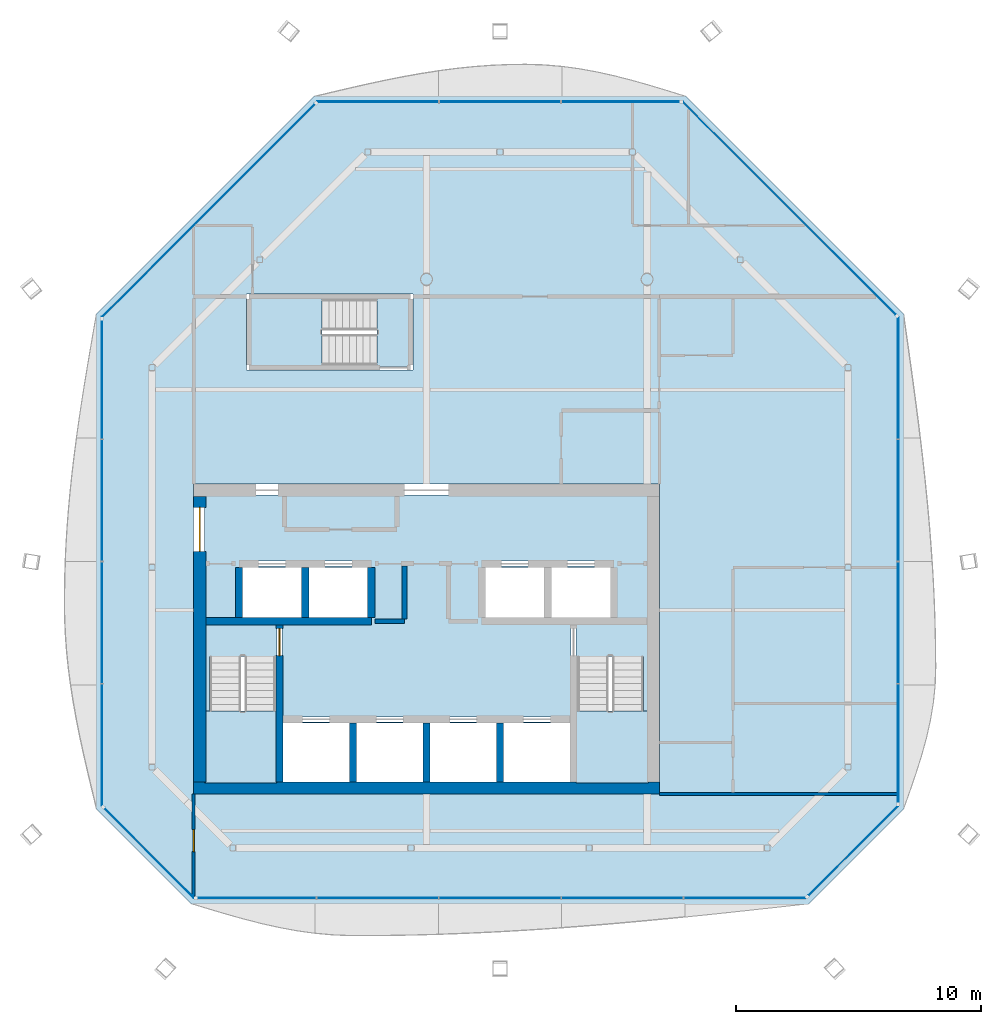
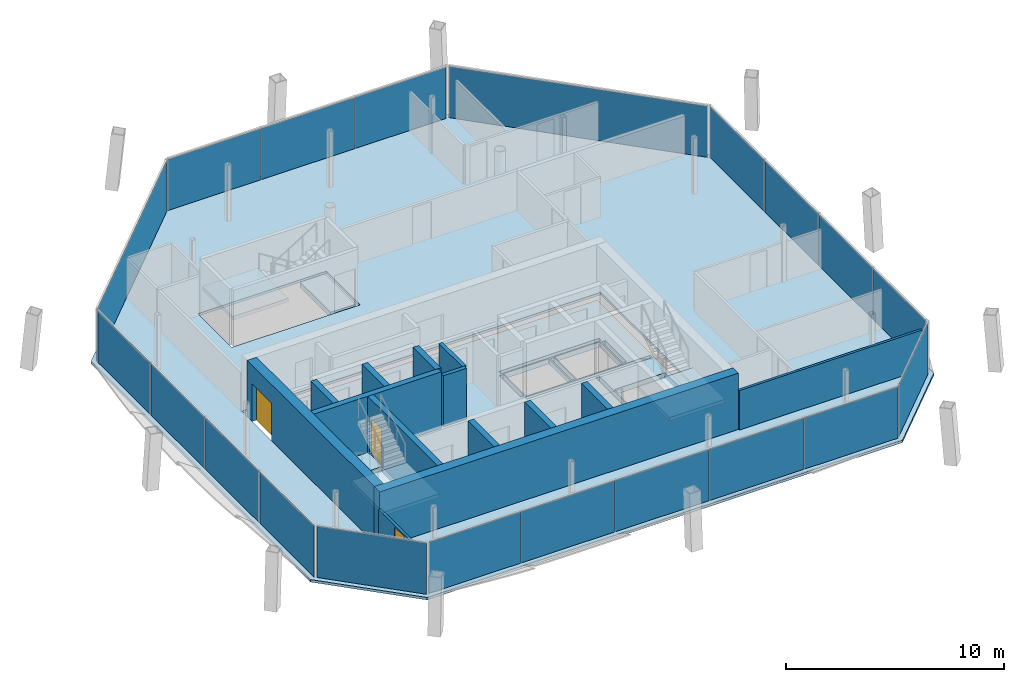
# One storey, part 9 of 14: 20 plates, 14 walls, 6 slabs, 3 doors, 3 openings, 11 elements without a shape of their own.
"""IFC4 building model written with IfcOpenShell, lengths in metres."""

from ifc_helpers import new_model, si_unit, direction, frame, frame_2d, origin, origin_2d, place, context, subcontext, project, spatial, polyline, rectangle, outline, extrude, material, layer, layer_set, type_object, element, fill, aggregate, save


model = new_model("IFC4")

# Units and contexts
model_context = context("Model", 3, precision=1e-05, world=origin(), true_north=direction((0.0, 1.0)))
body_context = subcontext(model_context, "Body", "Model", "MODEL_VIEW")
ifc_project = project(units=[si_unit("LENGTHUNIT", "METRE"), si_unit("AREAUNIT", "SQUARE_METRE"), si_unit("VOLUMEUNIT", "CUBIC_METRE"), si_unit("PLANEANGLEUNIT", "RADIAN"), si_unit("MASSUNIT", "GRAM", prefix="KILO")], contexts=[model_context])

# Site, building, storey
site_placement = place(None, origin())
site = spatial("IfcSite", under=ifc_project, at=site_placement, CompositionType="ELEMENT")
building_placement = place(site_placement, origin())
building = spatial("IfcBuilding", under=site, at=building_placement, Name="Tskaro Facet Tower", CompositionType="ELEMENT")
storey_placement = place(building_placement, frame((0.0, 0.0, 272.10009765625)))
storey = spatial("IfcBuildingStorey", under=building, at=storey_placement, Name="L72", CompositionType="ELEMENT", Elevation=272.10009765625)

# Slab
ifc_material_1 = material(Name="Concrete C30/37", Category="concrete")
ifc_layer_1 = layer(ifc_material_1, 0.139892578125, Name="Concrete C30/37")
ifc_layer_set_1 = layer_set([ifc_layer_1], Name="Concrete C30/37")
slab_type_1 = type_object("IfcSlabType", Name="Composite deck floor slab", PredefinedType="FLOOR", material=ifc_layer_set_1)
slab_1_placement = place(storey_placement, frame((0.0, 0.0, -0.14013671875)))
element("IfcSlab", 1, at=slab_1_placement, inside=storey, type_object=slab_type_1, Name="Floor slab FS3 L72", PredefinedType="FLOOR", context=body_context, shape_type="SweptSolid", body=[
    extrude(outline(polyline([(-9.5830078125, -16.49609375), (15.5830078125, -16.49609375), (19.49609375, -12.5830078125), (19.49609375, 7.56103515625), (10.56103515625, 16.49609375), (-4.56103515625, 16.49609375), (-13.49609375, 7.56103515625), (-13.49609375, -12.5830078125), (-9.5830078125, -16.49609375)]), holes=[polyline([(-9.5, -12.0), (9.5, -12.0), (9.5, 0.64990234375), (-9.5, 0.64990234375), (-9.5, -12.0)]), polyline([(-7.35009765625, 5.300048828125), (-0.550048828125, 5.300048828125), (-0.550048828125, 8.39990234375), (-7.35009765625, 8.39990234375), (-7.35009765625, 5.300048828125)])]), origin(), (0.0, 0.0, 1.0), 0.14013671875),
])

# Curtain wall, plates
ifc_material_2 = material(Name="Bronze anodised aluminium 6063-T6", Category="aluminium")
curtain_wall_type = type_object("IfcCurtainWallType", Name="Bronze residence curtain wall (FW3)", PredefinedType="NOTDEFINED", material=ifc_material_2)
curtain_wall_1_placement = place(storey_placement, origin())
curtain_wall_1 = element("IfcCurtainWall", 2, at=curtain_wall_1_placement, inside=storey, type_object=curtain_wall_type, Name="FW3 south facet L72", PredefinedType="NOTDEFINED")
ifc_material_3 = material(Name="Bronze low-iron glass", Category="glass")
ifc_layer_2 = layer(ifc_material_3, 0.028076171875, Name="Bronze low-iron glass")
ifc_layer_set_2 = layer_set([ifc_layer_2], Name="Bronze low-iron glass")
plate_type = type_object("IfcPlateType", Name="FW3 bronze-tinted unit glazing 28", PredefinedType="CURTAIN_PANEL", material=ifc_layer_set_2)
plate_1_placement = place(storey_placement, frame((-6.92578125, -16.24609375, 0.0), z_axis=(0.0, 0.0, 1.0), x_axis=(1.0, 0.0, 0.0)))
plate_1 = element("IfcPlate", 3, at=plate_1_placement, type_object=plate_type, Name="FW3 south glazing 1.1", PredefinedType="CURTAIN_PANEL", context=body_context, shape_type="SweptSolid", body=[
    extrude(rectangle(XDim=4.82666015625, YDim=0.028076171875, at=origin_2d()), origin(), (0.0, 0.0, 1.0), 2.860107421875),
])
plate_2_placement = place(storey_placement, frame((-1.99169921875, -16.24609375, 0.0), z_axis=(0.0, 0.0, 1.0), x_axis=(1.0, 0.0, 0.0)))
plate_2 = element("IfcPlate", 4, at=plate_2_placement, type_object=plate_type, Name="FW3 south glazing 2.1", PredefinedType="CURTAIN_PANEL", context=body_context, shape_type="SweptSolid", body=[
    extrude(rectangle(XDim=4.941650390625, YDim=0.028076171875, at=origin_2d()), origin(), (0.0, 0.0, 1.0), 2.860107421875),
])
plate_3_placement = place(storey_placement, frame((3.0, -16.24609375, 0.0), z_axis=(0.0, 0.0, 1.0), x_axis=(1.0, 0.0, 0.0)))
plate_3 = element("IfcPlate", 5, at=plate_3_placement, type_object=plate_type, Name="FW3 south glazing 3.1", PredefinedType="CURTAIN_PANEL", context=body_context, shape_type="SweptSolid", body=[
    extrude(rectangle(XDim=4.941650390625, YDim=0.028076171875, at=origin_2d()), origin(), (0.0, 0.0, 1.0), 2.860107421875),
])
plate_4_placement = place(storey_placement, frame((7.99169921875, -16.24609375, 0.0), z_axis=(0.0, 0.0, 1.0), x_axis=(1.0, 0.0, 0.0)))
plate_4 = element("IfcPlate", 6, at=plate_4_placement, type_object=plate_type, Name="FW3 south glazing 4.1", PredefinedType="CURTAIN_PANEL", context=body_context, shape_type="SweptSolid", body=[
    extrude(rectangle(XDim=4.941650390625, YDim=0.028076171875, at=origin_2d()), origin(), (0.0, 0.0, 1.0), 2.860107421875),
])
plate_5_placement = place(storey_placement, frame((12.99560546875, -16.24609375, 0.0), z_axis=(0.0, 0.0, 1.0), x_axis=(1.0, 0.0, 0.0)))
plate_5 = element("IfcPlate", 7, at=plate_5_placement, type_object=plate_type, Name="FW3 south glazing 5.1", PredefinedType="CURTAIN_PANEL", context=body_context, shape_type="SweptSolid", body=[
    extrude(rectangle(XDim=4.966552734375, YDim=0.028076171875, at=origin_2d()), origin(), (0.0, 0.0, 1.0), 2.860107421875),
])
aggregate(curtain_wall_1, [plate_1, plate_2, plate_3, plate_4, plate_5])

# Curtain wall, plate
curtain_wall_2_placement = place(storey_placement, origin())
curtain_wall_2 = element("IfcCurtainWall", 8, at=curtain_wall_2_placement, inside=storey, type_object=curtain_wall_type, Name="FW3 south-east facet L72", PredefinedType="NOTDEFINED")
plate_6_placement = place(storey_placement, frame((17.412109375, -14.31298828125, 0.0), z_axis=(0.0, 0.0, 1.0), x_axis=(0.707106781187, 0.707106781187, 0.0)))
plate_6 = element("IfcPlate", 9, at=plate_6_placement, type_object=plate_type, Name="FW3 south-east glazing 1.1", PredefinedType="CURTAIN_PANEL", context=body_context, shape_type="SweptSolid", body=[
    extrude(rectangle(XDim=5.187255859375, YDim=0.028076171875, at=origin_2d()), origin(), (0.0, 0.0, 1.0), 2.860107421875),
])
aggregate(curtain_wall_2, [plate_6])

# Curtain wall, plates
curtain_wall_3_placement = place(storey_placement, origin())
curtain_wall_3 = element("IfcCurtainWall", 10, at=curtain_wall_3_placement, inside=storey, type_object=curtain_wall_type, Name="FW3 east facet L72", PredefinedType="NOTDEFINED")
plate_7_placement = place(storey_placement, frame((19.24609375, -9.929443359375, 0.0), z_axis=(0.0, 0.0, 1.0), x_axis=(0.0, 1.0, 0.0)))
plate_7 = element("IfcPlate", 11, at=plate_7_placement, type_object=plate_type, Name="FW3 east glazing 1.1", PredefinedType="CURTAIN_PANEL", context=body_context, shape_type="SweptSolid", body=[
    extrude(rectangle(XDim=4.819091796875, YDim=0.028076171875, at=origin_2d()), origin(), (0.0, 0.0, 1.0), 2.860107421875),
])
plate_8_placement = place(storey_placement, frame((19.24609375, -5.0029296875, 0.0), z_axis=(0.0, 0.0, 1.0), x_axis=(0.0, 1.0, 0.0)))
plate_8 = element("IfcPlate", 12, at=plate_8_placement, type_object=plate_type, Name="FW3 east glazing 2.1", PredefinedType="CURTAIN_PANEL", context=body_context, shape_type="SweptSolid", body=[
    extrude(rectangle(XDim=4.93408203125, YDim=0.028076171875, at=origin_2d()), origin(), (0.0, 0.0, 1.0), 2.860107421875),
])
plate_9_placement = place(storey_placement, frame((19.24609375, -0.01904296875, 0.0), z_axis=(0.0, 0.0, 1.0), x_axis=(0.0, 1.0, 0.0)))
plate_9 = element("IfcPlate", 13, at=plate_9_placement, type_object=plate_type, Name="FW3 east glazing 3.1", PredefinedType="CURTAIN_PANEL", context=body_context, shape_type="SweptSolid", body=[
    extrude(rectangle(XDim=4.93408203125, YDim=0.028076171875, at=origin_2d()), origin(), (0.0, 0.0, 1.0), 2.860107421875),
])
plate_10_placement = place(storey_placement, frame((19.24609375, 4.9775390625, 0.0), z_axis=(0.0, 0.0, 1.0), x_axis=(0.0, 1.0, 0.0)))
plate_10 = element("IfcPlate", 14, at=plate_10_placement, type_object=plate_type, Name="FW3 east glazing 4.1", PredefinedType="CURTAIN_PANEL", context=body_context, shape_type="SweptSolid", body=[
    extrude(rectangle(XDim=4.958984375, YDim=0.028076171875, at=origin_2d()), origin(), (0.0, 0.0, 1.0), 2.860107421875),
])
aggregate(curtain_wall_3, [plate_7, plate_8, plate_9, plate_10])

# Curtain wall, plate
curtain_wall_4_placement = place(storey_placement, origin())
curtain_wall_4 = element("IfcCurtainWall", 15, at=curtain_wall_4_placement, inside=storey, type_object=curtain_wall_type, Name="FW3 north-east facet L72", PredefinedType="NOTDEFINED")
plate_11_placement = place(storey_placement, frame((14.802001953125, 11.90087890625, 0.0), z_axis=(0.0, 0.0, 1.0), x_axis=(-0.707106781187, 0.707106781187, 0.0)))
plate_11 = element("IfcPlate", 16, at=plate_11_placement, type_object=plate_type, Name="FW3 north-east glazing 1.1", PredefinedType="CURTAIN_PANEL", context=body_context, shape_type="SweptSolid", body=[
    extrude(rectangle(XDim=12.28955078125, YDim=0.028076171875, at=origin_2d()), origin(), (0.0, 0.0, 1.0), 2.860107421875),
])
aggregate(curtain_wall_4, [plate_11])

# Curtain wall, plates
curtain_wall_5_placement = place(storey_placement, origin())
curtain_wall_5 = element("IfcCurtainWall", 17, at=curtain_wall_5_placement, inside=storey, type_object=curtain_wall_type, Name="FW3 north facet L72", PredefinedType="NOTDEFINED")
plate_12_placement = place(storey_placement, frame((7.913818359375, 16.24609375, 0.0), z_axis=(0.0, 0.0, 1.0), x_axis=(-1.0, 0.0, 0.0)))
plate_12 = element("IfcPlate", 18, at=plate_12_placement, type_object=plate_type, Name="FW3 north glazing 1.1", PredefinedType="CURTAIN_PANEL", context=body_context, shape_type="SweptSolid", body=[
    extrude(rectangle(XDim=4.806396484375, YDim=0.028076171875, at=origin_2d()), origin(), (0.0, 0.0, 1.0), 2.860107421875),
])
plate_13_placement = place(storey_placement, frame((3.0, 16.24609375, 0.0), z_axis=(0.0, 0.0, 1.0), x_axis=(-1.0, 0.0, 0.0)))
plate_13 = element("IfcPlate", 19, at=plate_13_placement, type_object=plate_type, Name="FW3 north glazing 2.1", PredefinedType="CURTAIN_PANEL", context=body_context, shape_type="SweptSolid", body=[
    extrude(rectangle(XDim=4.92138671875, YDim=0.028076171875, at=origin_2d()), origin(), (0.0, 0.0, 1.0), 2.860107421875),
])
plate_14_placement = place(storey_placement, frame((-1.98388671875, 16.24609375, 0.0), z_axis=(0.0, 0.0, 1.0), x_axis=(-1.0, 0.0, 0.0)))
plate_14 = element("IfcPlate", 20, at=plate_14_placement, type_object=plate_type, Name="FW3 north glazing 3.1", PredefinedType="CURTAIN_PANEL", context=body_context, shape_type="SweptSolid", body=[
    extrude(rectangle(XDim=4.9462890625, YDim=0.028076171875, at=origin_2d()), origin(), (0.0, 0.0, 1.0), 2.860107421875),
])
aggregate(curtain_wall_5, [plate_12, plate_13, plate_14])

# Curtain wall, plate
curtain_wall_6_placement = place(storey_placement, origin())
curtain_wall_6 = element("IfcCurtainWall", 21, at=curtain_wall_6_placement, inside=storey, type_object=curtain_wall_type, Name="FW3 north-west facet L72", PredefinedType="NOTDEFINED")
plate_15_placement = place(storey_placement, frame((-8.90087890625, 11.802001953125, 0.0), z_axis=(0.0, 0.0, 1.0), x_axis=(-0.707106781187, -0.707106781187, 0.0)))
plate_15 = element("IfcPlate", 22, at=plate_15_placement, type_object=plate_type, Name="FW3 north-west glazing 1.1", PredefinedType="CURTAIN_PANEL", context=body_context, shape_type="SweptSolid", body=[
    extrude(rectangle(XDim=12.28955078125, YDim=0.028076171875, at=origin_2d()), origin(), (0.0, 0.0, 1.0), 2.860107421875),
])
aggregate(curtain_wall_6, [plate_15])

# Curtain wall, plates
curtain_wall_7_placement = place(storey_placement, origin())
curtain_wall_7 = element("IfcCurtainWall", 23, at=curtain_wall_7_placement, inside=storey, type_object=curtain_wall_type, Name="FW3 west facet L72", PredefinedType="NOTDEFINED")
plate_16_placement = place(storey_placement, frame((-13.24609375, 4.907470703125, 0.0), z_axis=(0.0, 0.0, 1.0), x_axis=(0.0, -1.0, 0.0)))
plate_16 = element("IfcPlate", 24, at=plate_16_placement, type_object=plate_type, Name="FW3 west glazing 1.1", PredefinedType="CURTAIN_PANEL", context=body_context, shape_type="SweptSolid", body=[
    extrude(rectangle(XDim=4.819091796875, YDim=0.028076171875, at=origin_2d()), origin(), (0.0, 0.0, 1.0), 2.860107421875),
])
plate_17_placement = place(storey_placement, frame((-13.24609375, -0.01904296875, 0.0), z_axis=(0.0, 0.0, 1.0), x_axis=(0.0, -1.0, 0.0)))
plate_17 = element("IfcPlate", 25, at=plate_17_placement, type_object=plate_type, Name="FW3 west glazing 2.1", PredefinedType="CURTAIN_PANEL", context=body_context, shape_type="SweptSolid", body=[
    extrude(rectangle(XDim=4.93408203125, YDim=0.028076171875, at=origin_2d()), origin(), (0.0, 0.0, 1.0), 2.860107421875),
])
plate_18_placement = place(storey_placement, frame((-13.24609375, -5.0029296875, 0.0), z_axis=(0.0, 0.0, 1.0), x_axis=(0.0, -1.0, 0.0)))
plate_18 = element("IfcPlate", 26, at=plate_18_placement, type_object=plate_type, Name="FW3 west glazing 3.1", PredefinedType="CURTAIN_PANEL", context=body_context, shape_type="SweptSolid", body=[
    extrude(rectangle(XDim=4.93408203125, YDim=0.028076171875, at=origin_2d()), origin(), (0.0, 0.0, 1.0), 2.860107421875),
])
plate_19_placement = place(storey_placement, frame((-13.24609375, -9.99951171875, 0.0), z_axis=(0.0, 0.0, 1.0), x_axis=(0.0, -1.0, 0.0)))
plate_19 = element("IfcPlate", 27, at=plate_19_placement, type_object=plate_type, Name="FW3 west glazing 4.1", PredefinedType="CURTAIN_PANEL", context=body_context, shape_type="SweptSolid", body=[
    extrude(rectangle(XDim=4.958984375, YDim=0.028076171875, at=origin_2d()), origin(), (0.0, 0.0, 1.0), 2.860107421875),
])
aggregate(curtain_wall_7, [plate_16, plate_17, plate_18, plate_19])

# Curtain wall, plate
curtain_wall_8_placement = place(storey_placement, origin())
curtain_wall_8 = element("IfcCurtainWall", 28, at=curtain_wall_8_placement, inside=storey, type_object=curtain_wall_type, Name="FW3 south-west facet L72", PredefinedType="NOTDEFINED")
plate_20_placement = place(storey_placement, frame((-11.31298828125, -14.412109375, 0.0), z_axis=(0.0, 0.0, 1.0), x_axis=(0.707106781187, -0.707106781187, 0.0)))
plate_20 = element("IfcPlate", 29, at=plate_20_placement, type_object=plate_type, Name="FW3 south-west glazing 1.1", PredefinedType="CURTAIN_PANEL", context=body_context, shape_type="SweptSolid", body=[
    extrude(rectangle(XDim=5.187255859375, YDim=0.028076171875, at=origin_2d()), origin(), (0.0, 0.0, 1.0), 2.860107421875),
])
aggregate(curtain_wall_8, [plate_20])

# Stair, slab
ifc_material_4 = material(Name="Concrete C40/50", Category="concrete")
stair_type = type_object("IfcStairType", Name="ST-TWR", PredefinedType="HALF_TURN_STAIR", material=ifc_material_4)
stair_1_placement = place(storey_placement, origin())
stair_1 = element("IfcStair", 30, at=stair_1_placement, inside=storey, type_object=stair_type, Name="L72 Exit stair 1", PredefinedType="HALF_TURN_STAIR")
ifc_layer_3 = layer(ifc_material_4, 0.199951171875, Name="Concrete C40/50")
ifc_layer_set_3 = layer_set([ifc_layer_3], Name="Concrete C40/50")
slab_type_2 = type_object("IfcSlabType", Name="SL-LANDING", PredefinedType="LANDING", material=ifc_layer_set_3)
slab_2_placement = place(storey_placement, frame((0.0, 0.0, 1.375)))
slab_2 = element("IfcSlab", 31, at=slab_2_placement, type_object=slab_type_2, Name="ST-1 landing 1", PredefinedType="LANDING", context=body_context, shape_type="SweptSolid", body=[
    extrude(outline(polyline([(-9.050048828125, -11.550048828125), (-6.10009765625, -11.550048828125), (-6.10009765625, -8.614990234375), (-9.050048828125, -8.614990234375), (-9.050048828125, -11.550048828125)])), origin(), (0.0, 0.0, 1.0), 0.199951171875),
])
aggregate(stair_1, [slab_2])

stair_2_placement = place(storey_placement, origin())
stair_2 = element("IfcStair", 32, at=stair_2_placement, inside=storey, type_object=stair_type, Name="L72 Exit stair 2", PredefinedType="HALF_TURN_STAIR")
slab_3_placement = place(storey_placement, frame((0.0, 0.0, 1.375)))
slab_3 = element("IfcSlab", 33, at=slab_3_placement, type_object=slab_type_2, Name="ST-2 landing 1", PredefinedType="LANDING", context=body_context, shape_type="SweptSolid", body=[
    extrude(outline(polyline([(6.10009765625, -11.550048828125), (9.050048828125, -11.550048828125), (9.050048828125, -8.614990234375), (6.10009765625, -8.614990234375), (6.10009765625, -11.550048828125)])), origin(), (0.0, 0.0, 1.0), 0.199951171875),
])
aggregate(stair_2, [slab_3])

stair_3_placement = place(storey_placement, origin())
stair_3 = element("IfcStair", 34, at=stair_3_placement, inside=storey, type_object=stair_type, Name="L72 Exit stair 3", PredefinedType="HALF_TURN_STAIR")
slab_4_placement = place(storey_placement, frame((0.0, 0.0, 1.375)))
slab_4 = element("IfcSlab", 35, at=slab_4_placement, type_object=slab_type_2, Name="ST-3 landing 1", PredefinedType="LANDING", context=body_context, shape_type="SweptSolid", body=[
    extrude(outline(polyline([(-7.199951171875, 5.449951171875), (-4.264892578125, 5.449951171875), (-4.264892578125, 8.25), (-7.199951171875, 8.25), (-7.199951171875, 5.449951171875)])), origin(), (0.0, 0.0, 1.0), 0.199951171875),
])
aggregate(stair_3, [slab_4])

# Slabs
ifc_material_5 = material(Name="Concrete C60/75", Category="concrete")
ifc_layer_4 = layer(ifc_material_5, 0.300048828125, Name="Concrete C60/75")
ifc_layer_set_4 = layer_set([ifc_layer_4], Name="Concrete C60/75")
slab_type_3 = type_object("IfcSlabType", Name="SLAB-CORE", PredefinedType="FLOOR", material=ifc_layer_set_4)
slab_5_placement = place(storey_placement, frame((0.0, 0.0, -0.300048828125)))
element("IfcSlab", 36, at=slab_5_placement, inside=storey, type_object=slab_type_3, Name="Core floor slab 1", PredefinedType="FLOOR", context=body_context, shape_type="SweptSolid", body=[
    extrude(outline(polyline([(-9.050048828125, 0.199951171875), (9.050048828125, 0.199951171875), (9.050048828125, 0.10009765625), (9.050048828125, -11.449951171875), (9.050048828125, -11.550048828125), (-9.050048828125, -11.550048828125), (-9.050048828125, -11.449951171875), (-9.050048828125, 0.10009765625), (-9.050048828125, 0.199951171875)]), holes=[polyline([(-5.85009765625, -9.10009765625), (-5.85009765625, -11.5), (-3.14990234375, -11.5), (-3.14990234375, -9.10009765625), (-5.85009765625, -9.10009765625)]), polyline([(-3.10009765625, -11.449951171875), (-2.89990234375, -11.449951171875), (-2.89990234375, -9.14990234375), (-3.10009765625, -9.14990234375), (-3.10009765625, -11.449951171875)]), polyline([(-2.85009765625, -9.10009765625), (-2.85009765625, -11.5), (-0.14990234375, -11.5), (-0.14990234375, -9.10009765625), (-2.85009765625, -9.10009765625)]), polyline([(-6.10009765625, -11.449951171875), (-5.89990234375, -11.449951171875), (-5.89990234375, -5.14990234375), (-6.10009765625, -5.14990234375), (-6.10009765625, -11.449951171875)]), polyline([(-8.949951171875, -5.050048828125), (-2.300048828125, -5.050048828125), (-2.300048828125, -4.85009765625), (-8.949951171875, -4.85009765625), (-8.949951171875, -5.050048828125)]), polyline([(-7.75, -4.75), (-7.550048828125, -4.75), (-7.550048828125, -2.800048828125), (-7.75, -2.800048828125), (-7.75, -4.75)]), polyline([(-5.10009765625, -4.800048828125), (-5.10009765625, -2.75), (-7.5, -2.75), (-7.5, -4.800048828125), (-5.10009765625, -4.800048828125)]), polyline([(-5.050048828125, -4.75), (-4.85009765625, -4.75), (-4.85009765625, -2.800048828125), (-5.050048828125, -2.800048828125), (-5.050048828125, -4.75)]), polyline([(-4.800048828125, -4.800048828125), (-2.39990234375, -4.800048828125), (-2.39990234375, -2.75), (-4.800048828125, -2.75), (-4.800048828125, -4.800048828125)]), polyline([(-2.35009765625, -4.75), (-2.14990234375, -4.75), (-2.14990234375, -2.800048828125), (-2.35009765625, -2.800048828125), (-2.35009765625, -4.75)]), polyline([(-7.60009765625, -2.699951171875), (-2.300048828125, -2.699951171875), (-2.300048828125, -2.5), (-7.60009765625, -2.5), (-7.60009765625, -2.699951171875)]), polyline([(-0.10009765625, -11.449951171875), (0.10009765625, -11.449951171875), (0.10009765625, -9.14990234375), (-0.10009765625, -9.14990234375), (-0.10009765625, -11.449951171875)]), polyline([(0.14990234375, -9.10009765625), (0.14990234375, -11.5), (2.85009765625, -11.5), (2.85009765625, -9.10009765625), (0.14990234375, -9.10009765625)]), polyline([(2.89990234375, -11.449951171875), (3.10009765625, -11.449951171875), (3.10009765625, -9.14990234375), (2.89990234375, -9.14990234375), (2.89990234375, -11.449951171875)]), polyline([(3.14990234375, -9.10009765625), (3.14990234375, -11.5), (5.85009765625, -11.5), (5.85009765625, -9.10009765625), (3.14990234375, -9.10009765625)]), polyline([(-5.800048828125, -9.050048828125), (5.800048828125, -9.050048828125), (5.800048828125, -8.85009765625), (-5.800048828125, -8.85009765625), (-5.800048828125, -9.050048828125)]), polyline([(5.89990234375, -11.449951171875), (6.10009765625, -11.449951171875), (6.10009765625, -5.14990234375), (5.89990234375, -5.14990234375), (5.89990234375, -11.449951171875)]), polyline([(2.300048828125, -5.050048828125), (8.949951171875, -5.050048828125), (8.949951171875, -4.85009765625), (2.300048828125, -4.85009765625), (2.300048828125, -5.050048828125)]), polyline([(2.14990234375, -4.75), (2.35009765625, -4.75), (2.35009765625, -2.800048828125), (2.14990234375, -2.800048828125), (2.14990234375, -4.75)]), polyline([(2.39990234375, -2.75), (2.39990234375, -4.800048828125), (4.800048828125, -4.800048828125), (4.800048828125, -2.75), (2.39990234375, -2.75)]), polyline([(4.85009765625, -4.75), (5.050048828125, -4.75), (5.050048828125, -2.800048828125), (4.85009765625, -2.800048828125), (4.85009765625, -4.75)]), polyline([(5.10009765625, -2.75), (5.10009765625, -4.800048828125), (7.5, -4.800048828125), (7.5, -2.75), (5.10009765625, -2.75)]), polyline([(7.550048828125, -4.75), (7.75, -4.75), (7.75, -2.800048828125), (7.550048828125, -2.800048828125), (7.550048828125, -4.75)]), polyline([(2.300048828125, -2.699951171875), (7.60009765625, -2.699951171875), (7.60009765625, -2.5), (2.300048828125, -2.5), (2.300048828125, -2.699951171875)]), polyline([(-8.85009765625, -11.5), (-6.14990234375, -11.5), (-6.14990234375, -6.39501953125), (-8.85009765625, -6.39501953125), (-8.85009765625, -11.5)]), polyline([(6.14990234375, -6.39501953125), (6.14990234375, -11.5), (8.85009765625, -11.5), (8.85009765625, -6.39501953125), (6.14990234375, -6.39501953125)])]), origin(), (0.0, 0.0, 1.0), 0.300048828125),
])
slab_6_placement = place(storey_placement, frame((0.0, 0.0, -0.300048828125)))
element("IfcSlab", 37, at=slab_6_placement, inside=storey, type_object=slab_type_3, Name="Stair 3 floor landing 1", PredefinedType="FLOOR", context=body_context, shape_type="SweptSolid", body=[
    extrude(outline(polyline([(-2.02490234375, 5.449951171875), (-0.699951171875, 5.449951171875), (-0.699951171875, 8.25), (-2.02490234375, 8.25), (-2.02490234375, 5.449951171875)])), origin(), (0.0, 0.0, 1.0), 0.300048828125),
])

# Walls
ifc_layer_5 = layer(ifc_material_5, 0.300048828125, Name="Concrete C60/75")
ifc_layer_set_5 = layer_set([ifc_layer_5], Name="Concrete C60/75")
wall_type_1 = type_object("IfcWallType", Name="CORE-SHAFT", PredefinedType="SHEAR", material=ifc_layer_set_5)
wall_1_placement = place(storey_placement, frame((-9.0, -4.949951171875, 0.0), z_axis=(0.0, 0.0, 1.0), x_axis=(1.0, 0.0, 0.0)))
element("IfcWall", 38, at=wall_1_placement, inside=storey, type_object=wall_type_1, Name="Shaft wall W005", PredefinedType="SHEAR", context=body_context, shape_type="SweptSolid", body=[
    extrude(rectangle(XDim=6.75, YDim=0.300048828125, at=frame_2d((3.375, 0.0))), origin(), (0.0, 0.0, 1.0), 3.14990234375),
])
wall_2_placement = place(storey_placement, frame((-7.64990234375, -4.800048828125, 0.0), z_axis=(0.0, 0.0, 1.0), x_axis=(0.0, 1.0, 0.0)))
element("IfcWall", 39, at=wall_2_placement, inside=storey, type_object=wall_type_1, Name="Shaft wall W029", PredefinedType="SHEAR", context=body_context, shape_type="SweptSolid", body=[
    extrude(rectangle(XDim=2.050048828125, YDim=0.300048828125, at=frame_2d((1.02490234375, 0.0))), origin(), (0.0, 0.0, 1.0), 3.14990234375),
])

# Wall, opening, door
wall_3_placement = place(storey_placement, frame((-6.0, -11.5, 0.0), z_axis=(0.0, 0.0, 1.0), x_axis=(0.0, 1.0, 0.0)))
wall_3 = element("IfcWall", 40, at=wall_3_placement, inside=storey, type_object=wall_type_1, Name="Shaft wall W032", PredefinedType="SHEAR", context=body_context, shape_type="SweptSolid", body=[
    extrude(rectangle(XDim=6.39990234375, YDim=0.300048828125, at=frame_2d((3.199951171875, 0.0))), origin(), (0.0, 0.0, 1.0), 3.14990234375),
])
opening_1_placement = place(wall_3_placement, frame((5.14990234375, 0.0, 0.0)))
opening_1 = element("IfcOpeningElement", 41, at=opening_1_placement, cuts=wall_3, Name="Opening ST-1-D1", PredefinedType="OPENING", context=body_context, shape_type="SweptSolid", body=[
    extrude(rectangle(XDim=1.10009765625, YDim=2.10009765625, at=frame_2d((0.550048828125, 1.050048828125))), frame((0.0, 0.159912109375, 0.0), z_axis=(0.0, -1.0, 0.0), x_axis=(1.0, 0.0, 0.0)), (0.0, 0.0, 1.0), 0.320068359375),
])
ifc_material_6 = material(Name="Steel", Category="steel")
door_type_1 = type_object("IfcDoorType", Name="D-STAIR", OperationType="NOTDEFINED", PredefinedType="DOOR", material=ifc_material_6)
door_1_placement = place(opening_1_placement, origin())
door_1 = element("IfcDoor", 42, at=door_1_placement, inside=storey, type_object=door_type_1, Name="Stair door 1", OperationType="SINGLE_SWING_LEFT", OverallHeight=2.10009765625, OverallWidth=1.10009765625, PredefinedType="DOOR", context=body_context, shape_type="SweptSolid", body=[
    extrude(rectangle(XDim=1.10009765625, YDim=2.10009765625, at=frame_2d((0.550048828125, 1.050048828125))), frame((0.0, 0.02490234375, 0.0), z_axis=(0.0, -1.0, 0.0), x_axis=(1.0, 0.0, 0.0)), (0.0, 0.0, 1.0), 0.050048828125),
])
fill(opening_1, door_1)

# Walls
wall_4_placement = place(storey_placement, frame((-4.949951171875, -4.800048828125, 0.0), z_axis=(0.0, 0.0, 1.0), x_axis=(0.0, 1.0, 0.0)))
element("IfcWall", 43, at=wall_4_placement, inside=storey, type_object=wall_type_1, Name="Shaft wall W034", PredefinedType="SHEAR", context=body_context, shape_type="SweptSolid", body=[
    extrude(rectangle(XDim=2.050048828125, YDim=0.300048828125, at=frame_2d((1.02490234375, 0.0))), origin(), (0.0, 0.0, 1.0), 3.14990234375),
])
wall_5_placement = place(storey_placement, frame((-3.0, -11.5, 0.0), z_axis=(0.0, 0.0, 1.0), x_axis=(0.0, 1.0, 0.0)))
element("IfcWall", 44, at=wall_5_placement, inside=storey, type_object=wall_type_1, Name="Shaft wall W035", PredefinedType="SHEAR", context=body_context, shape_type="SweptSolid", body=[
    extrude(rectangle(XDim=2.39990234375, YDim=0.300048828125, at=frame_2d((1.199951171875, 0.0))), origin(), (0.0, 0.0, 1.0), 3.14990234375),
])
wall_6_placement = place(storey_placement, frame((-2.25, -4.800048828125, 0.0), z_axis=(0.0, 0.0, 1.0), x_axis=(0.0, 1.0, 0.0)))
element("IfcWall", 45, at=wall_6_placement, inside=storey, type_object=wall_type_1, Name="Shaft wall W036", PredefinedType="SHEAR", context=body_context, shape_type="SweptSolid", body=[
    extrude(rectangle(XDim=2.050048828125, YDim=0.300048828125, at=frame_2d((1.02490234375, 0.0))), origin(), (0.0, 0.0, 1.0), 3.14990234375),
])
for number, where, z_axis, x_axis, name in (
    (46, (0.0, -11.5, 0.0), (0.0, 0.0, 1.0), (0.0, 1.0, 0.0), "Shaft wall W040"),
    (47, (3.0, -11.5, 0.0), (0.0, 0.0, 1.0), (0.0, 1.0, 0.0), "Shaft wall W043"),
):
    element("IfcWall", number, at=place(storey_placement, frame(where, z_axis=z_axis, x_axis=x_axis)), inside=storey, type_object=wall_type_1, Name=name, PredefinedType="SHEAR", context=body_context, shape_type="SweptSolid", body=[
        extrude(rectangle(XDim=2.39990234375, YDim=0.300048828125, at=frame_2d((1.199951171875, 0.0))), origin(), (0.0, 0.0, 1.0), 3.14990234375),
    ])
ifc_material_7 = material(Name="Concrete C20/25", Category="concrete")
ifc_layer_6 = layer(ifc_material_7, 0.199951171875, Name="Concrete C20/25")
ifc_layer_set_6 = layer_set([ifc_layer_6], Name="Concrete C20/25")
wall_type_2 = type_object("IfcWallType", Name="CORE-WALL", PredefinedType="SOLIDWALL", material=ifc_layer_set_6)
wall_7_placement = place(storey_placement, frame((-2.10009765625, -4.949951171875, 0.0), z_axis=(0.0, 0.0, 1.0), x_axis=(1.0, 0.0, 0.0)))
element("IfcWall", 48, at=wall_7_placement, inside=storey, type_object=wall_type_2, Name="Core room wall W006", PredefinedType="SOLIDWALL", context=body_context, shape_type="SweptSolid", body=[
    extrude(rectangle(XDim=1.2001953125, YDim=0.199951171875, at=frame_2d((0.60009765625, 0.0))), origin(), (0.0, 0.0, 1.0), 2.849853515625),
])
wall_8_placement = place(storey_placement, frame((-0.89990234375, -4.85009765625, 0.0), z_axis=(0.0, 0.0, 1.0), x_axis=(0.0, 1.0, 0.0)))
element("IfcWall", 49, at=wall_8_placement, inside=storey, type_object=wall_type_2, Name="Core room wall W038", PredefinedType="SOLIDWALL", context=body_context, shape_type="SweptSolid", body=[
    extrude(rectangle(XDim=2.150146484375, YDim=0.199951171875, at=frame_2d((1.0751953125, 0.0))), origin(), (0.0, 0.0, 1.0), 2.849853515625),
])
ifc_layer_7 = layer(ifc_material_4, 0.5, Name="Concrete C40/50")
ifc_layer_set_7 = layer_set([ifc_layer_7], Name="Concrete C40/50")
wall_type_3 = type_object("IfcWallType", Name="Core wall 500", PredefinedType="SHEAR", material=ifc_layer_set_7)
wall_9_placement = place(storey_placement, frame((-9.5, -11.75, 0.0), z_axis=(0.0, 0.0, 1.0), x_axis=(1.0, 0.0, 0.0)))
element("IfcWall", 50, at=wall_9_placement, inside=storey, type_object=wall_type_3, Name="Core wall CW-Z3S", PredefinedType="SHEAR", context=body_context, shape_type="SweptSolid", body=[
    extrude(rectangle(XDim=19.0, YDim=0.5, at=frame_2d((9.5, 0.0))), origin(), (0.0, 0.0, 1.0), 3.14990234375),
])

# Wall, opening, door
wall_10_placement = place(storey_placement, frame((-9.25, -11.5, 0.0), z_axis=(0.0, 0.0, 1.0), x_axis=(0.0, 1.0, 0.0)))
wall_10 = element("IfcWall", 51, at=wall_10_placement, inside=storey, type_object=wall_type_3, Name="Core wall CW-Z3W", PredefinedType="SHEAR", context=body_context, shape_type="SweptSolid", body=[
    extrude(rectangle(XDim=11.64990234375, YDim=0.5, at=frame_2d((5.824951171875, 0.0))), origin(), (0.0, 0.0, 1.0), 3.14990234375),
])
opening_2_placement = place(wall_10_placement, frame((9.39990234375, 0.0, 0.0)))
opening_2 = element("IfcOpeningElement", 52, at=opening_2_placement, cuts=wall_10, Name="Opening T21-D09", PredefinedType="OPENING", context=body_context, shape_type="SweptSolid", body=[
    extrude(rectangle(XDim=1.800048828125, YDim=2.10009765625, at=frame_2d((0.89990234375, 1.050048828125))), frame((0.0, 0.260009765625, 0.0), z_axis=(0.0, -1.0, 0.0), x_axis=(1.0, 0.0, 0.0)), (0.0, 0.0, 1.0), 0.52001953125),
])
door_type_2 = type_object("IfcDoorType", Name="D-CORE-PAIR", OperationType="NOTDEFINED", PredefinedType="DOOR", material=ifc_material_6)
door_2_placement = place(opening_2_placement, origin())
door_2 = element("IfcDoor", 53, at=door_2_placement, inside=storey, type_object=door_type_2, Name="Door T21-D09", OperationType="DOUBLE_DOOR_SINGLE_SWING", OverallHeight=2.10009765625, OverallWidth=1.800048828125, PredefinedType="DOOR", context=body_context, shape_type="SweptSolid", body=[
    extrude(rectangle(XDim=1.800048828125, YDim=2.10009765625, at=frame_2d((0.89990234375, 1.050048828125))), frame((0.0, 0.02490234375, 0.0), z_axis=(0.0, -1.0, 0.0), x_axis=(1.0, 0.0, 0.0)), (0.0, 0.0, 1.0), 0.050048828125),
])
fill(opening_2, door_2)

# Wall
ifc_material_8 = material(Name="Gypsum board on steel studs", Category="steel")
ifc_layer_8 = layer(ifc_material_8, 0.125, Name="Gypsum board on steel studs")
ifc_layer_set_8 = layer_set([ifc_layer_8], Name="Gypsum board on steel studs")
wall_type_4 = type_object("IfcWallType", Name="PART", PredefinedType="PARTITIONING", material=ifc_layer_set_8)
wall_11_placement = place(storey_placement, frame((9.5, -12.0, 0.0), z_axis=(0.0, 0.0, 1.0), x_axis=(1.0, 0.0, 0.0)))
element("IfcWall", 54, at=wall_11_placement, inside=storey, type_object=wall_type_4, Name="Partition W001", PredefinedType="PARTITIONING", context=body_context, shape_type="SweptSolid", body=[
    extrude(rectangle(XDim=9.695068359375, YDim=0.125, at=frame_2d((4.84765625, 0.0))), origin(), (0.0, 0.0, 1.0), 2.2099609375),
])

# Wall, opening, door
wall_12_placement = place(storey_placement, frame((-9.5, -12.0, 0.0), z_axis=(0.0, 0.0, 1.0), x_axis=(0.0, -1.0, 0.0)))
wall_12 = element("IfcWall", 55, at=wall_12_placement, inside=storey, type_object=wall_type_4, Name="Partition W026", PredefinedType="PARTITIONING", context=body_context, shape_type="SweptSolid", body=[
    extrude(rectangle(XDim=4.155029296875, YDim=0.125, at=frame_2d((2.07763671875, 0.0))), origin(), (0.0, 0.0, 1.0), 2.2099609375),
])
opening_3_placement = place(wall_12_placement, frame((1.446044921875, 0.0, 0.0)))
opening_3 = element("IfcOpeningElement", 56, at=opening_3_placement, cuts=wall_12, Name="Opening T21-D01", PredefinedType="OPENING", context=body_context, shape_type="SweptSolid", body=[
    extrude(rectangle(XDim=0.89990234375, YDim=2.10009765625, at=frame_2d((0.449951171875, 1.050048828125))), frame((0.0, 0.072509765625, 0.0), z_axis=(0.0, -1.0, 0.0), x_axis=(1.0, 0.0, 0.0)), (0.0, 0.0, 1.0), 0.14501953125),
])
ifc_material_9 = material(Name="Timber", Category="wood")
door_type_3 = type_object("IfcDoorType", Name="D-ROOM", OperationType="NOTDEFINED", PredefinedType="DOOR", material=ifc_material_9)
door_3_placement = place(opening_3_placement, origin())
door_3 = element("IfcDoor", 57, at=door_3_placement, inside=storey, type_object=door_type_3, Name="Door T21-D01", OperationType="SINGLE_SWING_RIGHT", OverallHeight=2.10009765625, OverallWidth=0.89990234375, PredefinedType="DOOR", context=body_context, shape_type="SweptSolid", body=[
    extrude(rectangle(XDim=0.89990234375, YDim=2.10009765625, at=frame_2d((0.449951171875, 1.050048828125))), frame((0.0, 0.02490234375, 0.0), z_axis=(0.0, -1.0, 0.0), x_axis=(1.0, 0.0, 0.0)), (0.0, 0.0, 1.0), 0.050048828125),
])
fill(opening_3, door_3)

save(model, "model.ifc")
